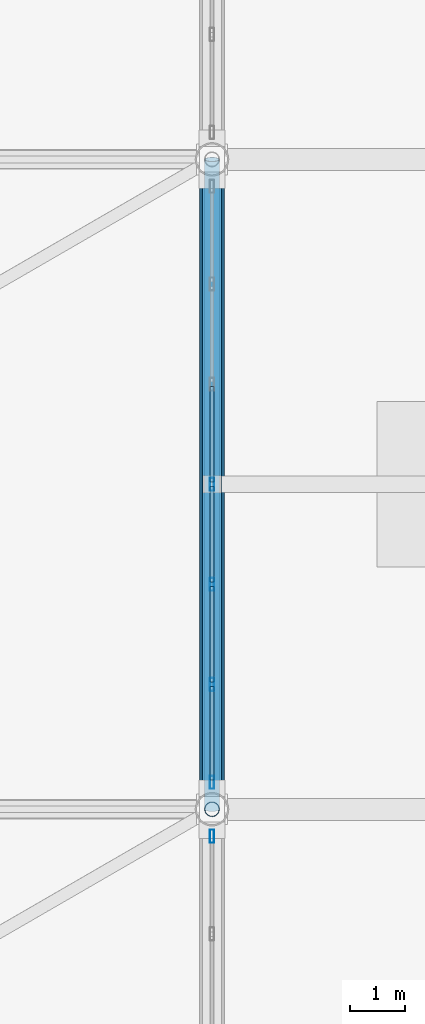
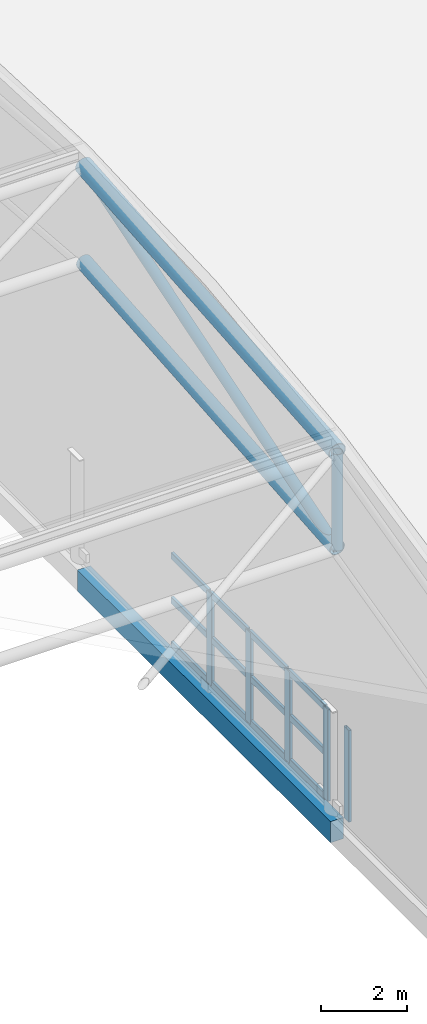
# One storey, part 52 of 135: 21 members, 1 beam, 2 elements without a shape of their own.
"""IFC4 building model written with IfcOpenShell, lengths in metres."""

from ifc_helpers import new_model, si_unit, direction, frame, origin, origin_2d, place, context, subcontext, project, spatial, rectangle, hollow_rectangle, hollow_circle, extrude, material, material_profile, profile_set, type_object, element, aggregate, save


model = new_model("IFC4")

# Units and contexts
model_context = context("Model", 3, precision=1e-05, world=origin(), true_north=direction((0.0, 1.0)))
body_context = subcontext(model_context, "Body", "Model", "MODEL_VIEW")
ifc_project = project(units=[si_unit("LENGTHUNIT", "METRE"), si_unit("AREAUNIT", "SQUARE_METRE"), si_unit("VOLUMEUNIT", "CUBIC_METRE"), si_unit("PLANEANGLEUNIT", "RADIAN"), si_unit("MASSUNIT", "GRAM", prefix="KILO")], contexts=[model_context])

# Site, building, storey
site_placement = place(None, origin())
site = spatial("IfcSite", under=ifc_project, at=site_placement, CompositionType="ELEMENT")
building_placement = place(site_placement, origin())
building = spatial("IfcBuilding", under=site, at=building_placement, Name="Brelvane Convention Centre", CompositionType="ELEMENT")
storey_placement = place(building_placement, frame((0.0, 0.0, 15.0)))
storey = spatial("IfcBuildingStorey", under=building, at=storey_placement, Name="L03", CompositionType="ELEMENT", Elevation=15.0)

# Curtain wall, member
ifc_material_1 = material(Name="Anodised Aluminium Alloy 6063-T6", Category="aluminium")
curtain_wall_type = type_object("IfcCurtainWallType", Name="Curtain Wall CW-HULL-N", PredefinedType="USERDEFINED", material=ifc_material_1)
curtain_wall_1_placement = place(storey_placement, origin())
curtain_wall_1 = element("IfcCurtainWall", 1, at=curtain_wall_1_placement, inside=storey, type_object=curtain_wall_type, Name="Curtain Wall CW-HULL-N L03-EXH-E-CLER-2", ObjectType="UNITISED", PredefinedType="USERDEFINED")
ifc_material_2 = material(Name="Anodised Aluminium Alloy 6063-T6", Category="aluminium")
ifc_material_profile_1 = material_profile(ifc_material_2, hollow_rectangle(XDim=0.080078125, YDim=0.239990234375, WallThickness=0.006103515625, InnerFilletRadius=0.006103515625, OuterFilletRadius=0.011962890625, at=origin_2d()), Name="ALU-M 240x80x6.0")
ifc_profile_set_1 = profile_set([ifc_material_profile_1], Name="Anodised Aluminium Alloy 6063-T6")
member_type_1 = type_object("IfcMemberType", Name="Curtain Mullion CW-M1", PredefinedType="MULLION", material=ifc_profile_set_1)
member_1_placement = place(storey_placement, frame((142.800048828125, 51.909912109375, 0.0), z_axis=(0.0, 0.0, 1.0), x_axis=(-1.0, 0.0, 0.0)))
member_1 = element("IfcMember", 2, at=member_1_placement, type_object=member_type_1, Name="CW-HULL-N mullion 7", PredefinedType="MULLION", context=body_context, shape_type="SweptSolid", body=[
    extrude(hollow_rectangle(XDim=0.080078125, YDim=0.239990234375, WallThickness=0.006103515625, InnerFilletRadius=0.006103515625, OuterFilletRadius=0.011962890625, at=origin_2d()), origin(), (0.0, 0.0, 1.0), 2.60009765625),
])
aggregate(curtain_wall_1, [member_1])

# Curtain wall, members
curtain_wall_2_placement = place(storey_placement, origin())
curtain_wall_2 = element("IfcCurtainWall", 3, at=curtain_wall_2_placement, inside=storey, type_object=curtain_wall_type, Name="Curtain Wall CW-HULL-N L03-EXH-E-CLER-3", ObjectType="UNITISED", PredefinedType="USERDEFINED")
member_2_placement = place(storey_placement, frame((142.800048828125, 52.889892578125, 0.0), z_axis=(0.0, 0.0, 1.0), x_axis=(-1.0, 0.0, 0.0)))
member_2 = element("IfcMember", 4, at=member_2_placement, type_object=member_type_1, Name="CW-HULL-N mullion 1", PredefinedType="MULLION", context=body_context, shape_type="SweptSolid", body=[
    extrude(hollow_rectangle(XDim=0.080078125, YDim=0.239990234375, WallThickness=0.006103515625, InnerFilletRadius=0.006103515625, OuterFilletRadius=0.011962890625, at=origin_2d()), origin(), (0.0, 0.0, 1.0), 2.60009765625),
])
member_3_placement = place(storey_placement, frame((142.800048828125, 54.666748046875, 0.0), z_axis=(0.0, 0.0, 1.0), x_axis=(-1.0, 0.0, 0.0)))
member_3 = element("IfcMember", 5, at=member_3_placement, type_object=member_type_1, Name="CW-HULL-N mullion 2", PredefinedType="MULLION", context=body_context, shape_type="SweptSolid", body=[
    extrude(hollow_rectangle(XDim=0.080078125, YDim=0.239990234375, WallThickness=0.006103515625, InnerFilletRadius=0.006103515625, OuterFilletRadius=0.011962890625, at=origin_2d()), origin(), (0.0, 0.0, 1.0), 2.60009765625),
])
member_4_placement = place(storey_placement, frame((142.800048828125, 56.4833984375, 0.0), z_axis=(0.0, 0.0, 1.0), x_axis=(-1.0, 0.0, 0.0)))
member_4 = element("IfcMember", 6, at=member_4_placement, type_object=member_type_1, Name="CW-HULL-N mullion 3", PredefinedType="MULLION", context=body_context, shape_type="SweptSolid", body=[
    extrude(hollow_rectangle(XDim=0.080078125, YDim=0.239990234375, WallThickness=0.006103515625, InnerFilletRadius=0.006103515625, OuterFilletRadius=0.011962890625, at=origin_2d()), origin(), (0.0, 0.0, 1.0), 2.60009765625),
])
member_5_placement = place(storey_placement, frame((142.800048828125, 58.300048828125, 0.0), z_axis=(0.0, 0.0, 1.0), x_axis=(-1.0, 0.0, 0.0)))
member_5 = element("IfcMember", 7, at=member_5_placement, type_object=member_type_1, Name="CW-HULL-N mullion 4", PredefinedType="MULLION", context=body_context, shape_type="SweptSolid", body=[
    extrude(hollow_rectangle(XDim=0.080078125, YDim=0.239990234375, WallThickness=0.006103515625, InnerFilletRadius=0.006103515625, OuterFilletRadius=0.011962890625, at=origin_2d()), origin(), (0.0, 0.0, 1.0), 2.60009765625),
])
ifc_material_3 = material(Name="Anodised Aluminium Alloy 6063-T6", Category="aluminium")
ifc_material_profile_2 = material_profile(ifc_material_3, hollow_rectangle(XDim=0.080078125, YDim=0.179931640625, WallThickness=0.0048828125, InnerFilletRadius=0.0048828125, OuterFilletRadius=0.010009765625, at=origin_2d()), Name="ALU-T 180x80x5.0")
ifc_profile_set_2 = profile_set([ifc_material_profile_2], Name="Anodised Aluminium Alloy 6063-T6")
member_type_2 = type_object("IfcMemberType", Name="Curtain Transom CW-T1", PredefinedType="USERDEFINED", material=ifc_profile_set_2)
member_6_placement = place(storey_placement, frame((142.800048828125, 52.929931640625, 0.0400390625), z_axis=(0.0, 1.0, 0.0), x_axis=(-1.0, 0.0, 0.0)))
member_6 = element("IfcMember", 8, at=member_6_placement, type_object=member_type_2, Name="CW-HULL-N transom 1.1", ObjectType="TRANSOM", PredefinedType="USERDEFINED", context=body_context, shape_type="SweptSolid", body=[
    extrude(hollow_rectangle(XDim=0.080078125, YDim=0.179931640625, WallThickness=0.0048828125, InnerFilletRadius=0.0048828125, OuterFilletRadius=0.010009765625, at=origin_2d()), origin(), (0.0, 0.0, 1.0), 1.69677734375),
])
member_7_placement = place(storey_placement, frame((142.800048828125, 52.929931640625, 1.300048828125), z_axis=(0.0, 1.0, 0.0), x_axis=(-1.0, 0.0, 0.0)))
member_7 = element("IfcMember", 9, at=member_7_placement, type_object=member_type_2, Name="CW-HULL-N transom 1.2", ObjectType="TRANSOM", PredefinedType="USERDEFINED", context=body_context, shape_type="SweptSolid", body=[
    extrude(hollow_rectangle(XDim=0.080078125, YDim=0.179931640625, WallThickness=0.0048828125, InnerFilletRadius=0.0048828125, OuterFilletRadius=0.010009765625, at=origin_2d()), origin(), (0.0, 0.0, 1.0), 1.69677734375),
])
member_8_placement = place(storey_placement, frame((142.800048828125, 52.929931640625, 2.56005859375), z_axis=(0.0, 1.0, 0.0), x_axis=(-1.0, 0.0, 0.0)))
member_8 = element("IfcMember", 10, at=member_8_placement, type_object=member_type_2, Name="CW-HULL-N transom 1.3", ObjectType="TRANSOM", PredefinedType="USERDEFINED", context=body_context, shape_type="SweptSolid", body=[
    extrude(hollow_rectangle(XDim=0.080078125, YDim=0.179931640625, WallThickness=0.0048828125, InnerFilletRadius=0.0048828125, OuterFilletRadius=0.010009765625, at=origin_2d()), origin(), (0.0, 0.0, 1.0), 1.69677734375),
])
member_9_placement = place(storey_placement, frame((142.800048828125, 54.706787109375, 0.0400390625), z_axis=(0.0, 1.0, 0.0), x_axis=(-1.0, 0.0, 0.0)))
member_9 = element("IfcMember", 11, at=member_9_placement, type_object=member_type_2, Name="CW-HULL-N transom 2.1", ObjectType="TRANSOM", PredefinedType="USERDEFINED", context=body_context, shape_type="SweptSolid", body=[
    extrude(hollow_rectangle(XDim=0.080078125, YDim=0.179931640625, WallThickness=0.0048828125, InnerFilletRadius=0.0048828125, OuterFilletRadius=0.010009765625, at=origin_2d()), origin(), (0.0, 0.0, 1.0), 1.736572265625),
])
member_10_placement = place(storey_placement, frame((142.800048828125, 54.706787109375, 1.300048828125), z_axis=(0.0, 1.0, 0.0), x_axis=(-1.0, 0.0, 0.0)))
member_10 = element("IfcMember", 12, at=member_10_placement, type_object=member_type_2, Name="CW-HULL-N transom 2.2", ObjectType="TRANSOM", PredefinedType="USERDEFINED", context=body_context, shape_type="SweptSolid", body=[
    extrude(hollow_rectangle(XDim=0.080078125, YDim=0.179931640625, WallThickness=0.0048828125, InnerFilletRadius=0.0048828125, OuterFilletRadius=0.010009765625, at=origin_2d()), origin(), (0.0, 0.0, 1.0), 1.736572265625),
])
member_11_placement = place(storey_placement, frame((142.800048828125, 54.706787109375, 2.56005859375), z_axis=(0.0, 1.0, 0.0), x_axis=(-1.0, 0.0, 0.0)))
member_11 = element("IfcMember", 13, at=member_11_placement, type_object=member_type_2, Name="CW-HULL-N transom 2.3", ObjectType="TRANSOM", PredefinedType="USERDEFINED", context=body_context, shape_type="SweptSolid", body=[
    extrude(hollow_rectangle(XDim=0.080078125, YDim=0.179931640625, WallThickness=0.0048828125, InnerFilletRadius=0.0048828125, OuterFilletRadius=0.010009765625, at=origin_2d()), origin(), (0.0, 0.0, 1.0), 1.736572265625),
])
member_12_placement = place(storey_placement, frame((142.800048828125, 56.5234375, 0.0400390625), z_axis=(0.0, 1.0, 0.0), x_axis=(-1.0, 0.0, 0.0)))
member_12 = element("IfcMember", 14, at=member_12_placement, type_object=member_type_2, Name="CW-HULL-N transom 3.1", ObjectType="TRANSOM", PredefinedType="USERDEFINED", context=body_context, shape_type="SweptSolid", body=[
    extrude(hollow_rectangle(XDim=0.080078125, YDim=0.179931640625, WallThickness=0.0048828125, InnerFilletRadius=0.0048828125, OuterFilletRadius=0.010009765625, at=origin_2d()), origin(), (0.0, 0.0, 1.0), 1.736572265625),
])
member_13_placement = place(storey_placement, frame((142.800048828125, 56.5234375, 1.300048828125), z_axis=(0.0, 1.0, 0.0), x_axis=(-1.0, 0.0, 0.0)))
member_13 = element("IfcMember", 15, at=member_13_placement, type_object=member_type_2, Name="CW-HULL-N transom 3.2", ObjectType="TRANSOM", PredefinedType="USERDEFINED", context=body_context, shape_type="SweptSolid", body=[
    extrude(hollow_rectangle(XDim=0.080078125, YDim=0.179931640625, WallThickness=0.0048828125, InnerFilletRadius=0.0048828125, OuterFilletRadius=0.010009765625, at=origin_2d()), origin(), (0.0, 0.0, 1.0), 1.736572265625),
])
member_14_placement = place(storey_placement, frame((142.800048828125, 56.5234375, 2.56005859375), z_axis=(0.0, 1.0, 0.0), x_axis=(-1.0, 0.0, 0.0)))
member_14 = element("IfcMember", 16, at=member_14_placement, type_object=member_type_2, Name="CW-HULL-N transom 3.3", ObjectType="TRANSOM", PredefinedType="USERDEFINED", context=body_context, shape_type="SweptSolid", body=[
    extrude(hollow_rectangle(XDim=0.080078125, YDim=0.179931640625, WallThickness=0.0048828125, InnerFilletRadius=0.0048828125, OuterFilletRadius=0.010009765625, at=origin_2d()), origin(), (0.0, 0.0, 1.0), 1.736572265625),
])
member_15_placement = place(storey_placement, frame((142.800048828125, 58.340087890625, 0.0400390625), z_axis=(0.0, 1.0, 0.0), x_axis=(-1.0, 0.0, 0.0)))
member_15 = element("IfcMember", 17, at=member_15_placement, type_object=member_type_2, Name="CW-HULL-N transom 4.1", ObjectType="TRANSOM", PredefinedType="USERDEFINED", context=body_context, shape_type="SweptSolid", body=[
    extrude(hollow_rectangle(XDim=0.080078125, YDim=0.179931640625, WallThickness=0.0048828125, InnerFilletRadius=0.0048828125, OuterFilletRadius=0.010009765625, at=origin_2d()), origin(), (0.0, 0.0, 1.0), 1.736572265625),
])
member_16_placement = place(storey_placement, frame((142.800048828125, 58.340087890625, 1.300048828125), z_axis=(0.0, 1.0, 0.0), x_axis=(-1.0, 0.0, 0.0)))
member_16 = element("IfcMember", 18, at=member_16_placement, type_object=member_type_2, Name="CW-HULL-N transom 4.2", ObjectType="TRANSOM", PredefinedType="USERDEFINED", context=body_context, shape_type="SweptSolid", body=[
    extrude(hollow_rectangle(XDim=0.080078125, YDim=0.179931640625, WallThickness=0.0048828125, InnerFilletRadius=0.0048828125, OuterFilletRadius=0.010009765625, at=origin_2d()), origin(), (0.0, 0.0, 1.0), 1.736572265625),
])
member_17_placement = place(storey_placement, frame((142.800048828125, 58.340087890625, 2.56005859375), z_axis=(0.0, 1.0, 0.0), x_axis=(-1.0, 0.0, 0.0)))
member_17 = element("IfcMember", 19, at=member_17_placement, type_object=member_type_2, Name="CW-HULL-N transom 4.3", ObjectType="TRANSOM", PredefinedType="USERDEFINED", context=body_context, shape_type="SweptSolid", body=[
    extrude(hollow_rectangle(XDim=0.080078125, YDim=0.179931640625, WallThickness=0.0048828125, InnerFilletRadius=0.0048828125, OuterFilletRadius=0.010009765625, at=origin_2d()), origin(), (0.0, 0.0, 1.0), 1.736572265625),
])
aggregate(curtain_wall_2, [member_2, member_3, member_4, member_5, member_6, member_7, member_8, member_9, member_10, member_11, member_12, member_13, member_14, member_15, member_16, member_17])

# Beam
ifc_material_4 = material(Name="Concrete M40", Category="concrete")
ifc_material_profile_3 = material_profile(ifc_material_4, rectangle(XDim=0.35009765625, YDim=0.60009765625, at=origin_2d()), Name="RC 350x600")
ifc_profile_set_3 = profile_set([ifc_material_profile_3], Name="Concrete M40")
beam_type = type_object("IfcBeamType", Name="RC Spandrel SP-RC2 (RC 350x600)", PredefinedType="SPANDREL", material=ifc_profile_set_3)
beam_placement = place(storey_placement, frame((142.800048828125, 52.39990234375, -0.60009765625), z_axis=(0.0, 1.0, 0.0), x_axis=(-1.0, 0.0, 0.0)))
element("IfcBeam", 20, at=beam_placement, inside=storey, type_object=beam_type, Name="L03 Girder 15/F-G", PredefinedType="SPANDREL", context=body_context, shape_type="SweptSolid", body=[
    extrude(rectangle(XDim=0.35009765625, YDim=0.60009765625, at=origin_2d()), origin(), (0.0, 0.0, 1.0), 11.800048828125),
])

# Members
ifc_material_5 = material(Name="Steel E350 (350 MPa)", Category="steel")
ifc_material_profile_4 = material_profile(ifc_material_5, hollow_circle(Radius=0.136474609375, WallThickness=0.012451171875, at=origin_2d()), Name="CHS 273.0x12.5")
ifc_profile_set_4 = profile_set([ifc_material_profile_4], Name="Steel E350 (350 MPa)")
member_type_3 = type_object("IfcMemberType", Name="Steel Brace SF-DG1 (CHS 273.0x12.5)", PredefinedType="BRACE", material=ifc_profile_set_4)
member_18_placement = place(storey_placement, frame((142.800048828125, 52.39990234375, 7.422119140625), z_axis=(0.0, 0.953781085444, 0.30050231455), x_axis=(-1.0, 0.0, 0.0)))
element("IfcMember", 21, at=member_18_placement, inside=storey, type_object=member_type_3, Name="SF_EXH Space-Frame Web Diagonal D8.3", PredefinedType="BRACE", context=body_context, shape_type="SweptSolid", body=[
    extrude(hollow_circle(Radius=0.136474609375, WallThickness=0.012451171875, at=origin_2d()), origin(), (0.0, 0.0, 1.0), 12.371826171875),
])
ifc_material_6 = material(Name="Steel E450 (450 MPa)", Category="steel")
ifc_material_profile_5 = material_profile(ifc_material_6, hollow_circle(Radius=0.203125, WallThickness=0.01611328125, at=origin_2d()), Name="CHS 406.4x16.0")
ifc_profile_set_5 = profile_set([ifc_material_profile_5], Name="Steel E450 (450 MPa)")
member_type_4 = type_object("IfcMemberType", Name="Steel Chord SF-BC1 (CHS 406.4x16.0)", PredefinedType="CHORD", material=ifc_profile_set_5)
member_19_placement = place(storey_placement, frame((142.800048828125, 52.39990234375, 7.422119140625), z_axis=(0.0, 0.996584470208, 0.082579620615), x_axis=(-1.0, 0.0, 0.0)))
element("IfcMember", 22, at=member_19_placement, inside=storey, type_object=member_type_4, Name="SF_EXH Space-Frame Bottom Chord B8.3", PredefinedType="CHORD", context=body_context, shape_type="SweptSolid", body=[
    extrude(hollow_circle(Radius=0.203125, WallThickness=0.01611328125, at=origin_2d()), origin(), (0.0, 0.0, 1.0), 11.840576171875),
])
ifc_material_7 = material(Name="Steel E450 (450 MPa)", Category="steel")
ifc_material_profile_6 = material_profile(ifc_material_7, hollow_circle(Radius=0.228515625, WallThickness=0.02001953125, at=origin_2d()), Name="CHS 457.0x20.0")
ifc_profile_set_6 = profile_set([ifc_material_profile_6], Name="Steel E450 (450 MPa)")
member_type_5 = type_object("IfcMemberType", Name="Steel Chord SF-TC1 (CHS 457.0x20.0)", PredefinedType="CHORD", material=ifc_profile_set_6)
member_20_placement = place(storey_placement, frame((142.800048828125, 52.39990234375, 10.162109375), z_axis=(0.0, 0.996584470208, 0.082579620615), x_axis=(-1.0, 0.0, 0.0)))
element("IfcMember", 23, at=member_20_placement, inside=storey, type_object=member_type_5, Name="SF_EXH Space-Frame Top Chord T8.3", PredefinedType="CHORD", context=body_context, shape_type="SweptSolid", body=[
    extrude(hollow_circle(Radius=0.228515625, WallThickness=0.02001953125, at=origin_2d()), origin(), (0.0, 0.0, 1.0), 11.840576171875),
])
ifc_material_8 = material(Name="Steel E350 (350 MPa)", Category="steel")
ifc_material_profile_7 = material_profile(ifc_material_8, hollow_circle(Radius=0.136474609375, WallThickness=0.012451171875, at=origin_2d()), Name="CHS 273.0x12.5")
ifc_profile_set_7 = profile_set([ifc_material_profile_7], Name="Steel E350 (350 MPa)")
member_type_6 = type_object("IfcMemberType", Name="Steel Strut SF-VT1 (CHS 273.0x12.5)", PredefinedType="STRUT", material=ifc_profile_set_7)
member_21_placement = place(storey_placement, frame((142.800048828125, 52.39990234375, 7.422119140625), z_axis=(0.0, 0.0, 1.0), x_axis=(1.0, 0.0, 0.0)))
element("IfcMember", 24, at=member_21_placement, inside=storey, type_object=member_type_6, Name="SF_EXH Space-Frame Post V8.2", PredefinedType="STRUT", context=body_context, shape_type="SweptSolid", body=[
    extrude(hollow_circle(Radius=0.136474609375, WallThickness=0.012451171875, at=origin_2d()), origin(), (0.0, 0.0, 1.0), 2.739990234375),
])

save(model, "model.ifc")
